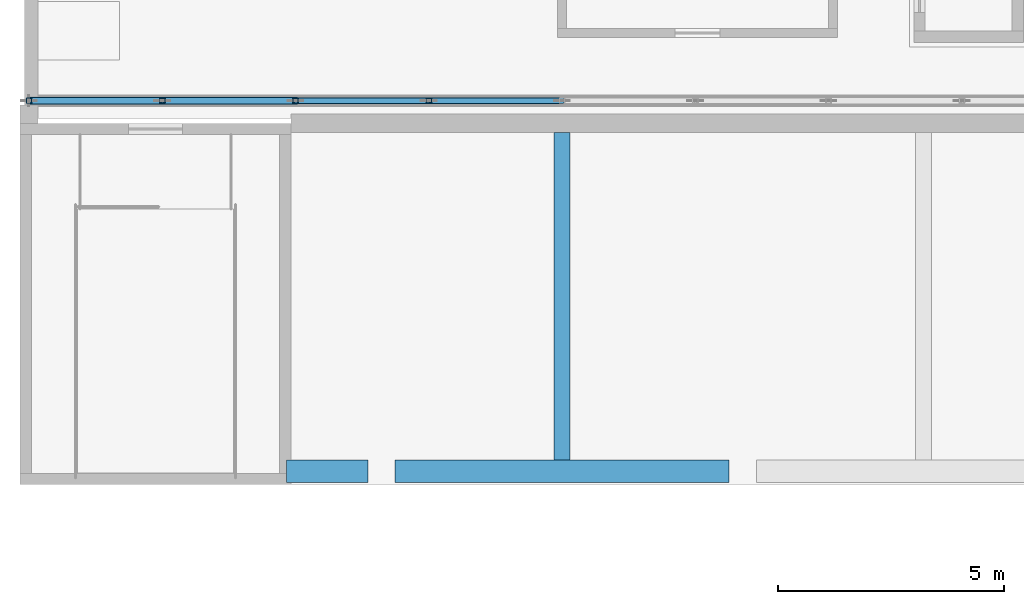
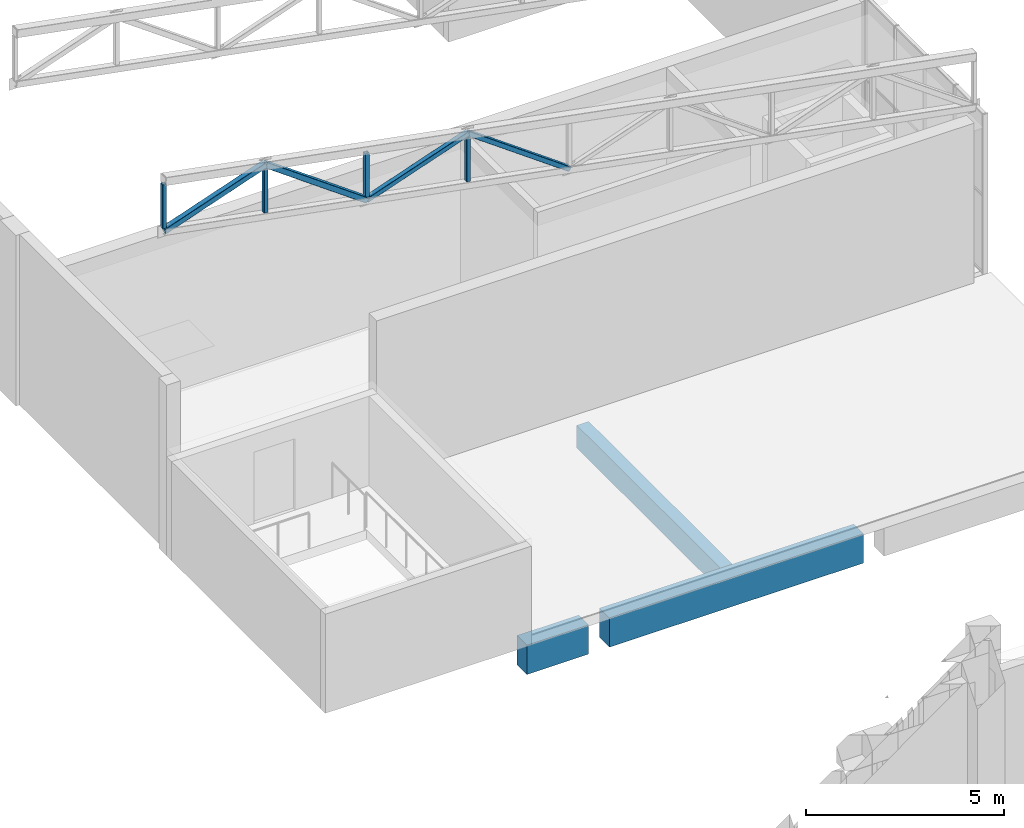
# One storey, part 8 of 125: 8 members, 3 beams.
"""IFC4 building model written with IfcOpenShell, lengths in metres."""

import ifcopenshell
import ifcopenshell.guid

model = None  # the IFC model being written
_history = None  # IfcOwnerHistory: only IFC2X3 demands one
_inside = {}  # id of a spatial element -> (the spatial element, [elements in it])
_under = {}  # id of a project, library or spatial element -> (it, [spatial elements below it])
_declared = {}  # id of a project -> (the project, [libraries it declares])
_typed = {}  # id of a type object -> (the type object, [elements of that type])
_made_of = {}  # id of a material, layer set ... -> (it, [elements and type objects made of it])


def new_model(schema):
    """Start an empty IFC model of exactly this schema.

    Asked for "IFC4X3", IfcOpenShell would pick the latest addendum, in which some entities
    have other attributes; the version numbers below select the first issue.
    IFC2X3 requires an IfcOwnerHistory on every rooted entity: one is made here for all.
    """
    global model, _history
    if schema == "IFC4X3":
        model = ifcopenshell.file(schema_version=(4, 3, 0, 0))
    else:
        model = ifcopenshell.file(schema=schema)
    _inside.clear()
    _under.clear()
    _declared.clear()
    _typed.clear()
    _made_of.clear()
    _history = None
    if model.schema == "IFC2X3":
        org = make("IfcOrganization", Name="unknown")
        user = make(
            "IfcPersonAndOrganization",
            ThePerson=make("IfcPerson", FamilyName="unknown"),
            TheOrganization=org,
        )
        app = make(
            "IfcApplication",
            ApplicationDeveloper=org,
            Version="unknown",
            ApplicationFullName="unknown",
            ApplicationIdentifier="unknown",
        )
        _history = make(
            "IfcOwnerHistory",
            OwningUser=user,
            OwningApplication=app,
            ChangeAction="ADDED",
            CreationDate=0,
        )
    return model


def make(cls, **values):
    """One entity of the class cls with the attributes given. An attribute that is None is left unset."""
    return model.create_entity(
        cls, **{name: value for name, value in values.items() if value is not None}
    )


def rooted(cls, **values):
    """An entity with a GlobalId (a new one), such as an element, a storey or a relation."""
    return make(cls, GlobalId=ifcopenshell.guid.new(), OwnerHistory=_history, **values)


def si_unit(unit_type, name, prefix=None):
    """IfcSIUnit, for example si_unit("LENGTHUNIT", "METRE", prefix="MILLI")."""
    return make("IfcSIUnit", UnitType=unit_type, Prefix=prefix, Name=name)


def assignment(units):
    """IfcUnitAssignment: the units of a project."""
    return None if units is None else make("IfcUnitAssignment", Units=units)


def point(xyz):
    """IfcCartesianPoint."""
    return None if xyz is None else make("IfcCartesianPoint", Coordinates=xyz)


def direction(xyz):
    """IfcDirection."""
    return None if xyz is None else make("IfcDirection", DirectionRatios=xyz)


def frame(location, z_axis=None, x_axis=None):
    """IfcAxis2Placement3D, a coordinate frame: its origin and axes. An axis left out is left unset."""
    return make(
        "IfcAxis2Placement3D",
        Location=point(location),
        Axis=direction(z_axis),
        RefDirection=direction(x_axis),
    )


def frame_2d(location, x_axis=None):
    """IfcAxis2Placement2D, a coordinate frame in the plane: its origin and x axis."""
    return make(
        "IfcAxis2Placement2D", Location=point(location), RefDirection=direction(x_axis)
    )


def origin():
    """The frame at (0, 0, 0) with its axes left unset."""
    return frame((0.0, 0.0, 0.0))


def origin_2d():
    """The frame at (0, 0) in the plane with its x axis left unset."""
    return frame_2d((0.0, 0.0))


def place(relative_to, where):
    """IfcLocalPlacement: puts the frame where relative to a parent placement (None: the world)."""
    return make(
        "IfcLocalPlacement", PlacementRelTo=relative_to, RelativePlacement=where
    )


def context(
    kind, dimensions, precision=None, world=None, true_north=None, identifier=None
):
    """IfcGeometricRepresentationContext, for example the 3D "Model" context."""
    return make(
        "IfcGeometricRepresentationContext",
        ContextIdentifier=identifier,
        ContextType=kind,
        CoordinateSpaceDimension=dimensions,
        Precision=precision,
        WorldCoordinateSystem=world,
        TrueNorth=true_north,
    )


def subcontext(parent, identifier, kind, view, scale=None):
    """IfcGeometricRepresentationSubContext, for example "Body" below "Model"."""
    return make(
        "IfcGeometricRepresentationSubContext",
        ContextIdentifier=identifier,
        ContextType=kind,
        ParentContext=parent,
        TargetScale=scale,
        TargetView=view,
    )


def project(units=None, contexts=None):
    """IfcProject with its units and contexts."""
    return rooted(
        "IfcProject",
        Name="project",
        RepresentationContexts=contexts,
        UnitsInContext=assignment(units),
    )


def spatial(cls, under=None, at=None, **own):
    """A site, building, storey or space (cls), placed at a placement, below another one or the project."""
    s = rooted(cls, ObjectPlacement=at, **own)
    if under is not None:
        _under.setdefault(under.id(), (under, []))[1].append(s)
    return s


def profile(cls, at=None, kind="AREA", **sizes):
    """A parametric profile (cls). Its sizes go by their IFC names, for example OverallWidth=200.0."""
    return make(cls, ProfileType=kind, Position=at, **sizes)


def rectangle(**sizes):
    """IfcRectangleProfileDef."""
    return profile("IfcRectangleProfileDef", **sizes)


def hollow_rectangle(**sizes):
    """IfcRectangleHollowProfileDef."""
    return profile("IfcRectangleHollowProfileDef", **sizes)


def extrude(swept, where, along, depth):
    """IfcExtrudedAreaSolid: the profile swept, set in the frame where, extruded along a direction by depth."""
    return make(
        "IfcExtrudedAreaSolid",
        SweptArea=swept,
        Position=where,
        ExtrudedDirection=direction(along),
        Depth=depth,
    )


def shape(context_of_items, identifier, shape_type, items):
    """IfcShapeRepresentation: the items that make up one representation, for example the "Body"."""
    return make(
        "IfcShapeRepresentation",
        ContextOfItems=context_of_items,
        RepresentationIdentifier=identifier,
        RepresentationType=shape_type,
        Items=items,
    )


def material(Name=None, Category=None):
    """IfcMaterial."""
    return make("IfcMaterial", Name=Name, Category=Category)


def material_profile(
    of_material, cross_section, Name=None, Category=None, Priority=None
):
    """IfcMaterialProfile: a cross section and its material."""
    return make(
        "IfcMaterialProfile",
        Name=Name,
        Material=of_material,
        Profile=cross_section,
        Priority=Priority,
        Category=Category,
    )


def profile_set(profiles, Name=None, composite=None):
    """IfcMaterialProfileSet."""
    return make(
        "IfcMaterialProfileSet",
        Name=Name,
        MaterialProfiles=profiles,
        CompositeProfile=composite,
    )


def made_of(thing, what):
    """Note that an element or type object is made of a material, layer set ...; save() writes the relation."""
    if what is not None:
        _made_of.setdefault(what.id(), (what, []))[1].append(thing)
    return thing


def type_object(cls, material=None, **own):
    """A type object (cls), such as IfcWallType, which elements share."""
    return made_of(rooted(cls, **own), material)


def element(
    cls,
    number,
    at=None,
    inside=None,
    cuts=None,
    type_object=None,
    material=None,
    context=None,
    identifier="Body",
    shape_type=None,
    held_by="IfcProductDefinitionShape",
    body=None,
    shapes=None,
    **own,
):
    """One element of the class cls, such as IfcWall. Its Tag is "e" and its number.

    at: its placement. inside: the storey or other place that contains it. cuts: it is an
    opening in that element (IfcRelVoidsElement). A single representation is given by context,
    identifier, shape_type and body (its items); several are given by shapes. held_by: the class
    of the entity that holds the representations. save() writes the other relations.
    """
    e = rooted(cls, Tag="e%d" % number, ObjectPlacement=at, **own)
    if body is not None:
        shapes = [shape(context, identifier, shape_type, body)]
    if shapes is not None:
        e.Representation = make(held_by, Representations=shapes)
    if inside is not None:
        _inside.setdefault(inside.id(), (inside, []))[1].append(e)
    if cuts is not None:
        rooted(
            "IfcRelVoidsElement", RelatingBuildingElement=cuts, RelatedOpeningElement=e
        )
    if type_object is not None:
        _typed.setdefault(type_object.id(), (type_object, []))[1].append(e)
    return made_of(e, material)


def aggregate(whole, parts):
    """IfcRelAggregates: a whole, such as a stair, and the parts it consists of."""
    return rooted("IfcRelAggregates", RelatingObject=whole, RelatedObjects=parts)


def save(model, path):
    """Write the relations noted so far, then the file.

    IfcRelAggregates (storeys below a building ...), IfcRelContainedInSpatialStructure (elements
    in a storey), IfcRelDefinesByType, IfcRelAssociatesMaterial and IfcRelDeclares: one each for
    every whole, place, type object, material and project.
    """
    for whole, parts in _under.values():
        aggregate(whole, parts)
    for where, things in _inside.values():
        rooted(
            "IfcRelContainedInSpatialStructure",
            RelatedElements=things,
            RelatingStructure=where,
        )
    for kind, things in _typed.values():
        rooted("IfcRelDefinesByType", RelatedObjects=things, RelatingType=kind)
    for what, things in _made_of.values():
        rooted("IfcRelAssociatesMaterial", RelatedObjects=things, RelatingMaterial=what)
    for by, libraries in _declared.values():
        rooted("IfcRelDeclares", RelatingContext=by, RelatedDefinitions=libraries)
    model.write(path)


model = new_model("IFC4")

# Units and contexts
model_context = context("Model", 3, precision=1e-05, world=origin(), true_north=direction((0.0, 1.0)))
body_context = subcontext(model_context, "Body", "Model", "MODEL_VIEW")
ifc_project = project(units=[si_unit("LENGTHUNIT", "METRE"), si_unit("AREAUNIT", "SQUARE_METRE"), si_unit("VOLUMEUNIT", "CUBIC_METRE"), si_unit("PLANEANGLEUNIT", "RADIAN"), si_unit("MASSUNIT", "GRAM", prefix="KILO")], contexts=[model_context])

# Site, building, storey
site_placement = place(None, origin())
site = spatial("IfcSite", under=ifc_project, at=site_placement, CompositionType="ELEMENT")
building_placement = place(site_placement, origin())
building = spatial("IfcBuilding", under=site, at=building_placement, Name="Sun Court Science Centre", CompositionType="ELEMENT")
storey_placement = place(building_placement, frame((0.0, 0.0, 6.0)))
storey = spatial("IfcBuildingStorey", under=building, at=storey_placement, Name="L01", CompositionType="ELEMENT", Elevation=6.0)

# Beams
ifc_material_1 = material(Name="Concrete C25/30", Category="concrete")
ifc_material_profile_1 = material_profile(ifc_material_1, rectangle(XDim=0.5, YDim=0.89990234375, at=origin_2d()), Name="RC 500x900")
ifc_profile_set_1 = profile_set([ifc_material_profile_1], Name="Concrete C25/30")
beam_type_1 = type_object("IfcBeamType", Name="RC girder 500x900", PredefinedType="BEAM", material=ifc_profile_set_1)
beam_1_placement = place(storey_placement, frame((5.89990234375, 40.300048828125, -0.75), z_axis=(1.0, 0.0, 0.0), x_axis=(0.0, 1.0, 0.0)))
element("IfcBeam", 1, at=beam_1_placement, inside=storey, type_object=beam_type_1, Name="Foyer roof edge beam", PredefinedType="BEAM", context=body_context, shape_type="SweptSolid", body=[
    extrude(rectangle(XDim=0.5, YDim=0.89990234375, at=origin_2d()), origin(), (0.0, 0.0, 1.0), 1.800048828125),
])
beam_2_placement = place(storey_placement, frame((8.300048828125, 40.300048828125, -0.75), z_axis=(1.0, 0.0, 0.0), x_axis=(0.0, 1.0, 0.0)))
element("IfcBeam", 2, at=beam_2_placement, inside=storey, type_object=beam_type_1, Name="Foyer roof edge beam", PredefinedType="BEAM", context=body_context, shape_type="SweptSolid", body=[
    extrude(rectangle(XDim=0.5, YDim=0.89990234375, at=origin_2d()), origin(), (0.0, 0.0, 1.0), 7.39990234375),
])
ifc_material_2 = material(Name="Concrete C25/30", Category="concrete")
ifc_material_profile_2 = material_profile(ifc_material_2, rectangle(XDim=0.35009765625, YDim=0.699951171875, at=origin_2d()), Name="RC 350x700")
ifc_profile_set_2 = profile_set([ifc_material_profile_2], Name="Concrete C25/30")
beam_type_2 = type_object("IfcBeamType", Name="RC joist 350x700", PredefinedType="JOIST", material=ifc_profile_set_2)
beam_3_placement = place(storey_placement, frame((12.0, 40.550048828125, -0.64990234375), z_axis=(0.0, 1.0, 0.0), x_axis=(-1.0, 0.0, 0.0)))
element("IfcBeam", 3, at=beam_3_placement, inside=storey, type_object=beam_type_2, Name="Foyer roof joist", PredefinedType="JOIST", context=body_context, shape_type="SweptSolid", body=[
    extrude(rectangle(XDim=0.35009765625, YDim=0.699951171875, at=origin_2d()), origin(), (0.0, 0.0, 1.0), 7.25),
])

# Members
ifc_material_3 = material(Name="Steel S355", Category="steel")
ifc_material_profile_3 = material_profile(ifc_material_3, hollow_rectangle(XDim=0.139892578125, YDim=0.139892578125, WallThickness=0.008056640625, InnerFilletRadius=0.008056640625, OuterFilletRadius=0.011962890625, at=origin_2d()), Name="SHS 140x140x8")
ifc_profile_set_3 = profile_set([ifc_material_profile_3], Name="Steel S355")
member_type_1 = type_object("IfcMemberType", Name="Truss diagonal SHS 140x140x8", PredefinedType="BRACE", material=ifc_profile_set_3)
member_1_placement = place(storey_placement, frame((6.10009765625, 48.5, 8.236328125), z_axis=(0.94492748348, 0.0, 0.327279774755), x_axis=(0.0, 1.0, 0.0)))
element("IfcMember", 4, at=member_1_placement, inside=storey, type_object=member_type_1, Name="Roof truss 1 diagonal 3", PredefinedType="BRACE", context=body_context, shape_type="SweptSolid", body=[
    extrude(hollow_rectangle(XDim=0.139892578125, YDim=0.139892578125, WallThickness=0.008056640625, InnerFilletRadius=0.008056640625, OuterFilletRadius=0.011962890625, at=origin_2d()), origin(), (0.0, 0.0, 1.0), 3.121826171875),
])
member_2_placement = place(storey_placement, frame((9.050048828125, 48.5, 9.258056640625), z_axis=(0.810985300315, 0.0, -0.585066528416), x_axis=(0.0, 1.0, 0.0)))
element("IfcMember", 5, at=member_2_placement, inside=storey, type_object=member_type_1, Name="Roof truss 1 diagonal 4", PredefinedType="BRACE", context=body_context, shape_type="SweptSolid", body=[
    extrude(hollow_rectangle(XDim=0.139892578125, YDim=0.139892578125, WallThickness=0.008056640625, InnerFilletRadius=0.008056640625, OuterFilletRadius=0.011962890625, at=origin_2d()), origin(), (0.0, 0.0, 1.0), 3.637451171875),
])
ifc_material_4 = material(Name="Steel S355", Category="steel")
ifc_material_profile_4 = material_profile(ifc_material_4, hollow_rectangle(XDim=0.159912109375, YDim=0.159912109375, WallThickness=0.008056640625, InnerFilletRadius=0.008056640625, OuterFilletRadius=0.011962890625, at=origin_2d()), Name="SHS 160x160x8")
ifc_profile_set_4 = profile_set([ifc_material_profile_4], Name="Steel S355")
member_type_2 = type_object("IfcMemberType", Name="Truss diagonal SHS 160x160x8", PredefinedType="BRACE", material=ifc_profile_set_4)
member_3_placement = place(storey_placement, frame((0.199951171875, 48.5, 9.342529296875), z_axis=(0.94492748348, 0.0, 0.327279774755), x_axis=(0.0, 1.0, 0.0)))
element("IfcMember", 6, at=member_3_placement, inside=storey, type_object=member_type_2, Name="Roof truss 1 diagonal 1", PredefinedType="BRACE", context=body_context, shape_type="SweptSolid", body=[
    extrude(hollow_rectangle(XDim=0.159912109375, YDim=0.159912109375, WallThickness=0.008056640625, InnerFilletRadius=0.008056640625, OuterFilletRadius=0.011962890625, at=origin_2d()), origin(), (0.0, 0.0, 1.0), 3.121826171875),
])
member_4_placement = place(storey_placement, frame((3.14990234375, 48.5, 10.3642578125), z_axis=(0.811040116677, 0.0, -0.58499053765), x_axis=(0.0, 1.0, 0.0)))
element("IfcMember", 7, at=member_4_placement, inside=storey, type_object=member_type_2, Name="Roof truss 1 diagonal 2", PredefinedType="BRACE", context=body_context, shape_type="SweptSolid", body=[
    extrude(hollow_rectangle(XDim=0.159912109375, YDim=0.159912109375, WallThickness=0.008056640625, InnerFilletRadius=0.008056640625, OuterFilletRadius=0.011962890625, at=origin_2d()), origin(), (0.0, 0.0, 1.0), 3.637451171875),
])
ifc_material_5 = material(Name="Steel S355", Category="steel")
ifc_material_profile_5 = material_profile(ifc_material_5, hollow_rectangle(XDim=0.1201171875, YDim=0.1201171875, WallThickness=0.008056640625, InnerFilletRadius=0.008056640625, OuterFilletRadius=0.011962890625, at=origin_2d()), Name="SHS 120x120x8")
ifc_profile_set_5 = profile_set([ifc_material_profile_5], Name="Steel S355")
member_type_3 = type_object("IfcMemberType", Name="Truss post SHS 120x120x8", PredefinedType="POST", material=ifc_profile_set_5)
member_5_placement = place(storey_placement, frame((0.199951171875, 48.5, 9.4423828125), z_axis=(0.0, 0.0, 1.0), x_axis=(1.0, 0.0, 0.0)))
element("IfcMember", 8, at=member_5_placement, inside=storey, type_object=member_type_3, Name="Roof truss 1 post 1", PredefinedType="POST", context=body_context, shape_type="SweptSolid", body=[
    extrude(hollow_rectangle(XDim=0.1201171875, YDim=0.1201171875, WallThickness=0.008056640625, InnerFilletRadius=0.008056640625, OuterFilletRadius=0.011962890625, at=origin_2d()), origin(), (0.0, 0.0, 1.0), 1.35009765625),
])
member_6_placement = place(storey_placement, frame((3.14990234375, 48.5, 8.889404296875), z_axis=(0.0, 0.0, 1.0), x_axis=(1.0, 0.0, 0.0)))
element("IfcMember", 9, at=member_6_placement, inside=storey, type_object=member_type_3, Name="Roof truss 1 post 2", PredefinedType="POST", context=body_context, shape_type="SweptSolid", body=[
    extrude(hollow_rectangle(XDim=0.1201171875, YDim=0.1201171875, WallThickness=0.008056640625, InnerFilletRadius=0.008056640625, OuterFilletRadius=0.011962890625, at=origin_2d()), origin(), (0.0, 0.0, 1.0), 1.349853515625),
])
member_7_placement = place(storey_placement, frame((6.10009765625, 48.5, 8.336181640625), z_axis=(0.0, 0.0, 1.0), x_axis=(1.0, 0.0, 0.0)))
element("IfcMember", 10, at=member_7_placement, inside=storey, type_object=member_type_3, Name="Roof truss 1 post 3", PredefinedType="POST", context=body_context, shape_type="SweptSolid", body=[
    extrude(hollow_rectangle(XDim=0.1201171875, YDim=0.1201171875, WallThickness=0.008056640625, InnerFilletRadius=0.008056640625, OuterFilletRadius=0.011962890625, at=origin_2d()), origin(), (0.0, 0.0, 1.0), 1.35009765625),
])
member_8_placement = place(storey_placement, frame((9.050048828125, 48.5, 7.783203125), z_axis=(0.0, 0.0, 1.0), x_axis=(1.0, 0.0, 0.0)))
element("IfcMember", 11, at=member_8_placement, inside=storey, type_object=member_type_3, Name="Roof truss 1 post 4", PredefinedType="POST", context=body_context, shape_type="SweptSolid", body=[
    extrude(hollow_rectangle(XDim=0.1201171875, YDim=0.1201171875, WallThickness=0.008056640625, InnerFilletRadius=0.008056640625, OuterFilletRadius=0.011962890625, at=origin_2d()), origin(), (0.0, 0.0, 1.0), 1.349853515625),
])

save(model, "model.ifc")
